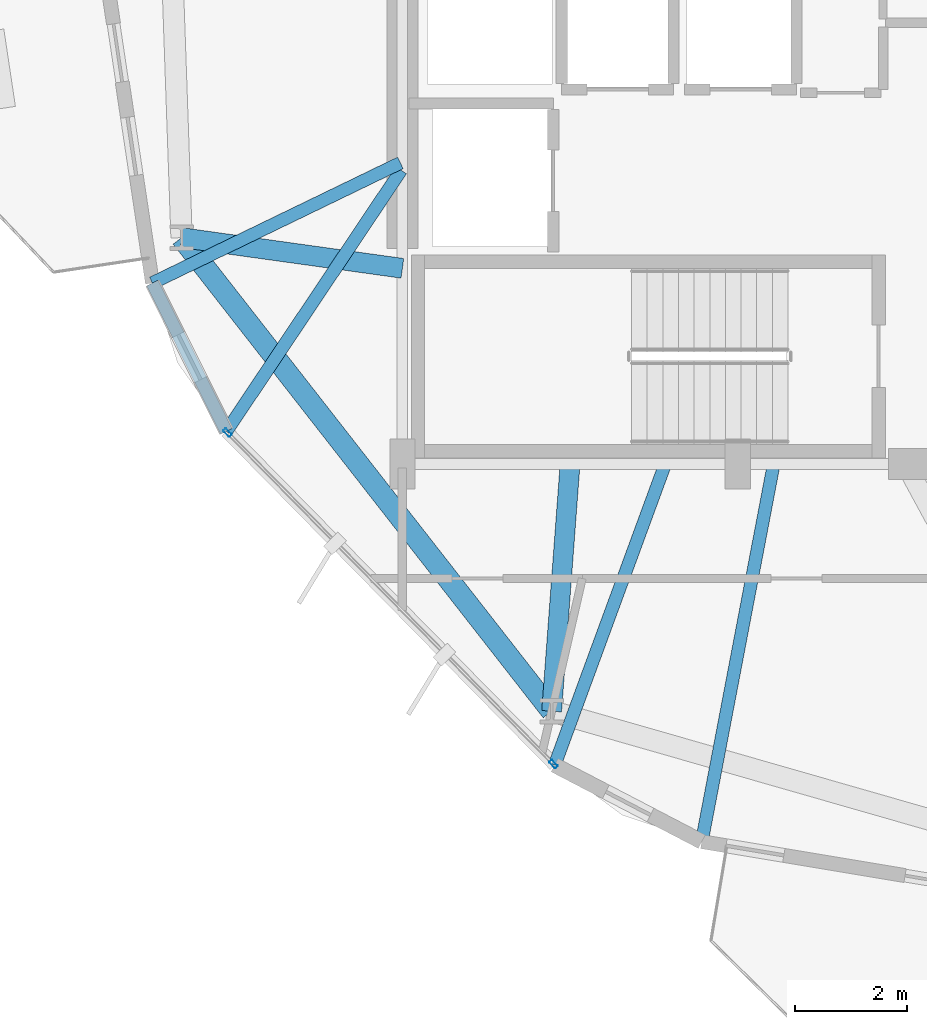
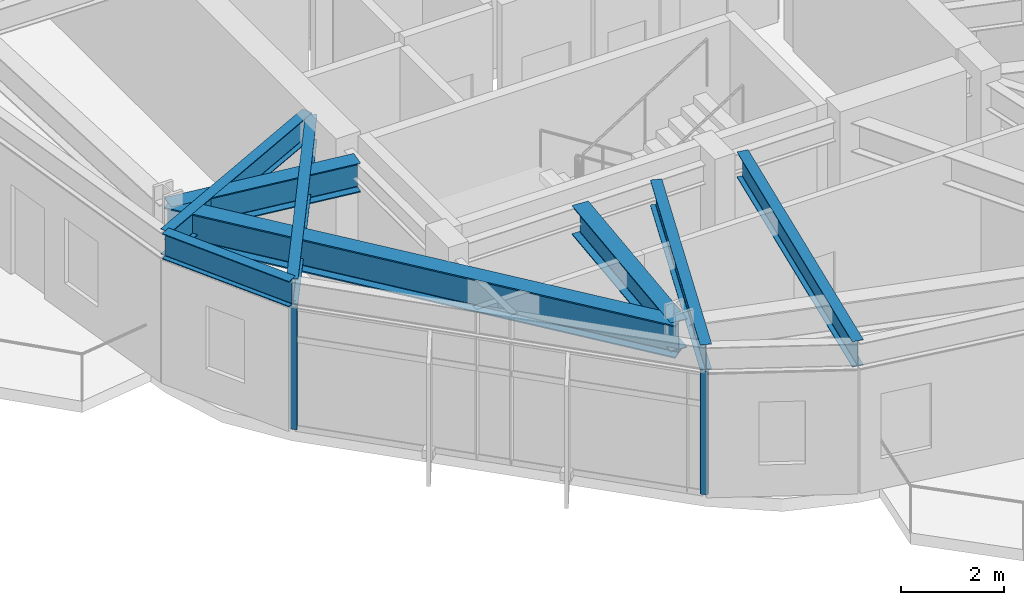
# One storey, part 2 of 22: 8 beams, 2 members, 1 element without a shape of its own.
"""IFC4 building model written with IfcOpenShell, lengths in metres."""

from ifc_helpers import new_model, si_unit, direction, frame, origin, origin_2d, place, context, subcontext, project, spatial, hollow_rectangle, i_section, extrude, material, layer, layer_set, material_profile, profile_set, type_object, element, aggregate, save


model = new_model("IFC4")

# Units and contexts
model_context = context("Model", 3, precision=1e-05, world=origin(), true_north=direction((0.0, 1.0)))
body_context = subcontext(model_context, "Body", "Model", "MODEL_VIEW")
ifc_project = project(units=[si_unit("LENGTHUNIT", "METRE"), si_unit("AREAUNIT", "SQUARE_METRE"), si_unit("VOLUMEUNIT", "CUBIC_METRE"), si_unit("PLANEANGLEUNIT", "RADIAN"), si_unit("MASSUNIT", "GRAM", prefix="KILO")], contexts=[model_context])

# Site, building, storey
site_placement = place(None, origin())
site = spatial("IfcSite", under=ifc_project, at=site_placement, CompositionType="ELEMENT")
building_placement = place(site_placement, origin())
building = spatial("IfcBuilding", under=site, at=building_placement, Name="Soratama Intermodal Tower", CompositionType="ELEMENT")
storey_placement = place(building_placement, frame((0.0, 0.0, 130.300048828125)))
storey = spatial("IfcBuildingStorey", under=building, at=storey_placement, Name="L31", CompositionType="ELEMENT", Elevation=130.300048828125)

# Beams
ifc_material_1 = material(Name="Structural steel ASTM A992 Grade 50", Category="steel")
ifc_material_profile_1 = material_profile(ifc_material_1, i_section(OverallWidth=0.35498046875, OverallDepth=0.695068359375, WebThickness=0.015380859375, FlangeThickness=0.02490234375, FilletRadius=0.01611328125, at=origin_2d()), Name="W27X146")
ifc_profile_set_1 = profile_set([ifc_material_profile_1], Name="Structural steel ASTM A992 Grade 50")
beam_type_1 = type_object("IfcBeamType", Name="BM-RING-W27X146", PredefinedType="BEAM", material=ifc_profile_set_1)
beam_1_placement = place(storey_placement, frame((32.60009765625, 18.5, 3.21240234375), z_axis=(-0.990482077962, 0.137641756879, 0.0), x_axis=(-0.137641756879, -0.990482077962, 0.0)))
element("IfcBeam", 1, at=beam_1_placement, inside=storey, type_object=beam_type_1, Name="BM-L31-RAD-06", PredefinedType="BEAM", context=body_context, shape_type="SweptSolid", body=[
    extrude(i_section(OverallWidth=0.35498046875, OverallDepth=0.695068359375, WebThickness=0.015380859375, FlangeThickness=0.02490234375, FilletRadius=0.01611328125, at=origin_2d()), origin(), (0.0, 0.0, 1.0), 3.9892578125),
])
beam_2_placement = place(storey_placement, frame((35.60009765625, 15.0, 3.21240234375), z_axis=(-0.074386442563, -0.997229490721, 0.0), x_axis=(0.997229490721, -0.074386442563, 0.0)))
element("IfcBeam", 2, at=beam_2_placement, inside=storey, type_object=beam_type_1, Name="BM-L31-RAD-07", PredefinedType="BEAM", context=body_context, shape_type="SweptSolid", body=[
    extrude(i_section(OverallWidth=0.35498046875, OverallDepth=0.695068359375, WebThickness=0.015380859375, FlangeThickness=0.02490234375, FilletRadius=0.01611328125, at=origin_2d()), origin(), (0.0, 0.0, 1.0), 4.437255859375),
])
ifc_material_2 = material(Name="Structural steel ASTM A992 Grade 50", Category="steel")
ifc_material_profile_2 = material_profile(ifc_material_2, i_section(OverallWidth=0.382080078125, OverallDepth=0.779052734375, WebThickness=0.01806640625, FlangeThickness=0.030029296875, FilletRadius=0.01806640625, at=origin_2d()), Name="W30X191")
ifc_profile_set_2 = profile_set([ifc_material_profile_2], Name="Structural steel ASTM A992 Grade 50")
beam_type_2 = type_object("IfcBeamType", Name="BM-RING-W30X191", PredefinedType="BEAM", material=ifc_profile_set_2)
beam_3_placement = place(storey_placement, frame((28.64892578125, 19.049072265625, 3.17041015625), z_axis=(0.615683690883, -0.787993396407, 0.0), x_axis=(0.787993396407, 0.615683690883, 0.0)))
element("IfcBeam", 3, at=beam_3_placement, inside=storey, type_object=beam_type_2, Name="BM-L31-RING-06", PredefinedType="BEAM", context=body_context, shape_type="SweptSolid", body=[
    extrude(i_section(OverallWidth=0.382080078125, OverallDepth=0.779052734375, WebThickness=0.01806640625, FlangeThickness=0.030029296875, FilletRadius=0.01806640625, at=origin_2d()), origin(), (0.0, 0.0, 1.0), 10.754150390625),
])
ifc_material_3 = material(Name="Structural steel ASTM A992 Grade 50", Category="steel")
ifc_material_profile_3 = material_profile(ifc_material_3, i_section(OverallWidth=0.22900390625, OverallDepth=0.612060546875, WebThickness=0.011962890625, FlangeThickness=0.01953125, FilletRadius=0.012939453125, at=origin_2d()), Name="W24X84")
ifc_profile_set_3 = profile_set([ifc_material_profile_3], Name="Structural steel ASTM A992 Grade 50")
beam_type_3 = type_object("IfcBeamType", Name="BM-SPN-W24X84", PredefinedType="SPANDREL", material=ifc_profile_set_3)
beam_4_placement = place(storey_placement, frame((28.1259765625, 18.237060546875, 3.25390625), z_axis=(0.446653853227, -0.894706843272, 0.0), x_axis=(0.894706843272, 0.446653853227, 0.0)))
element("IfcBeam", 4, at=beam_4_placement, inside=storey, type_object=beam_type_3, Name="BS-L31-CRN05", PredefinedType="SPANDREL", context=body_context, shape_type="SweptSolid", body=[
    extrude(i_section(OverallWidth=0.22900390625, OverallDepth=0.612060546875, WebThickness=0.011962890625, FlangeThickness=0.01953125, FilletRadius=0.012939453125, at=origin_2d()), origin(), (0.0, 0.0, 1.0), 2.96630859375),
])
ifc_material_4 = material(Name="Structural steel ASTM A992 Grade 50", Category="steel")
ifc_material_profile_4 = material_profile(ifc_material_4, i_section(OverallWidth=0.22900390625, OverallDepth=0.612060546875, WebThickness=0.011962890625, FlangeThickness=0.01953125, FilletRadius=0.012939453125, at=origin_2d()), Name="W24X84")
ifc_profile_set_4 = profile_set([ifc_material_profile_4], Name="Structural steel ASTM A992 Grade 50")
beam_type_4 = type_object("IfcBeamType", Name="BM-TIE-W24X84", PredefinedType="BEAM", material=ifc_profile_set_4)
beam_5_placement = place(storey_placement, frame((32.56396484375, 20.385986328125, 3.25390625), z_axis=(-0.900038984304, -0.435809392664, 0.0), x_axis=(0.435809392664, -0.900038984304, 0.0)))
element("IfcBeam", 5, at=beam_5_placement, inside=storey, type_object=beam_type_4, Name="BM-L31-TIE1-05", PredefinedType="BEAM", context=body_context, shape_type="SweptSolid", body=[
    extrude(i_section(OverallWidth=0.22900390625, OverallDepth=0.612060546875, WebThickness=0.011962890625, FlangeThickness=0.01953125, FilletRadius=0.012939453125, at=origin_2d()), origin(), (0.0, 0.0, 1.0), 4.930908203125),
])
beam_6_placement = place(storey_placement, frame((32.577880859375, 20.25390625, 3.25390625), z_axis=(-0.556302883406, -0.830979603789, 0.0), x_axis=(0.830979603789, -0.556302883406, 0.0)))
element("IfcBeam", 6, at=beam_6_placement, inside=storey, type_object=beam_type_4, Name="BM-L31-TIE0-06", PredefinedType="BEAM", context=body_context, shape_type="SweptSolid", body=[
    extrude(i_section(OverallWidth=0.22900390625, OverallDepth=0.612060546875, WebThickness=0.011962890625, FlangeThickness=0.01953125, FilletRadius=0.012939453125, at=origin_2d()), origin(), (0.0, 0.0, 1.0), 5.620849609375),
])
beam_7_placement = place(storey_placement, frame((37.2890625, 14.9619140625, 3.25390625), z_axis=(-0.344736595703, -0.9386994618, 0.0), x_axis=(0.9386994618, -0.344736595703, 0.0)))
element("IfcBeam", 7, at=beam_7_placement, inside=storey, type_object=beam_type_4, Name="BM-L31-TIE1-06", PredefinedType="BEAM", context=body_context, shape_type="SweptSolid", body=[
    extrude(i_section(OverallWidth=0.22900390625, OverallDepth=0.612060546875, WebThickness=0.011962890625, FlangeThickness=0.01953125, FilletRadius=0.012939453125, at=origin_2d()), origin(), (0.0, 0.0, 1.0), 5.7001953125),
])
beam_8_placement = place(storey_placement, frame((39.237060546875, 14.9609375, 3.25390625), z_axis=(-0.187281041459, -0.982306373546, 0.0), x_axis=(0.982306373546, -0.187281041459, 0.0)))
element("IfcBeam", 8, at=beam_8_placement, inside=storey, type_object=beam_type_4, Name="BM-L31-TIE0-07", PredefinedType="BEAM", context=body_context, shape_type="SweptSolid", body=[
    extrude(i_section(OverallWidth=0.22900390625, OverallDepth=0.612060546875, WebThickness=0.011962890625, FlangeThickness=0.01953125, FilletRadius=0.012939453125, at=origin_2d()), origin(), (0.0, 0.0, 1.0), 6.840087890625),
])

# Curtain wall, members
ifc_material_5 = material(Name="Double-glazed aluminium curtain wall", Category="aluminium")
ifc_layer = layer(ifc_material_5, 0.159912109375)
ifc_layer_set = layer_set([ifc_layer], Name="Double-glazed aluminium curtain wall")
curtain_wall_type = type_object("IfcCurtainWallType", Name="CW-SYS-3", PredefinedType="NOTDEFINED", material=ifc_layer_set)
curtain_wall_placement = place(storey_placement, origin())
curtain_wall = element("IfcCurtainWall", 9, at=curtain_wall_placement, inside=storey, type_object=curtain_wall_type, Name="L31 Faceted Curtain Wall F06", PredefinedType="NOTDEFINED")
ifc_material_6 = material(Name="Anodised aluminium AA 6063-T6", Category="aluminium")
ifc_material_profile_5 = material_profile(ifc_material_6, hollow_rectangle(XDim=0.070068359375, YDim=0.159912109375, WallThickness=0.0048828125, InnerFilletRadius=0.0048828125, OuterFilletRadius=0.010009765625, at=origin_2d()), Name="CWM160X70X5")
ifc_profile_set_5 = profile_set([ifc_material_profile_5], Name="Anodised aluminium AA 6063-T6")
member_type = type_object("IfcMemberType", Name="MT-CWM-3", PredefinedType="MULLION", material=ifc_profile_set_5)
member_1_placement = place(storey_placement, frame((29.4716796875, 15.5615234375, 0.0), z_axis=(0.0, 0.0, 1.0), x_axis=(0.713009454838, 0.701154417594, 0.0)))
member_1 = element("IfcMember", 10, at=member_1_placement, type_object=member_type, Name="CW-3 mullion 1", PredefinedType="MULLION", context=body_context, shape_type="SweptSolid", body=[
    extrude(hollow_rectangle(XDim=0.070068359375, YDim=0.159912109375, WallThickness=0.0048828125, InnerFilletRadius=0.0048828125, OuterFilletRadius=0.010009765625, at=origin_2d()), origin(), (0.0, 0.0, 1.0), 2.93896484375),
])
member_2_placement = place(storey_placement, frame((35.302734375, 9.632080078125, 0.0), z_axis=(0.0, 0.0, 1.0), x_axis=(0.713009454838, 0.701154417594, 0.0)))
member_2 = element("IfcMember", 11, at=member_2_placement, type_object=member_type, Name="CW-3 mullion 2", PredefinedType="MULLION", context=body_context, shape_type="SweptSolid", body=[
    extrude(hollow_rectangle(XDim=0.070068359375, YDim=0.159912109375, WallThickness=0.0048828125, InnerFilletRadius=0.0048828125, OuterFilletRadius=0.010009765625, at=origin_2d()), origin(), (0.0, 0.0, 1.0), 2.93896484375),
])
aggregate(curtain_wall, [member_1, member_2])

save(model, "model.ifc")
